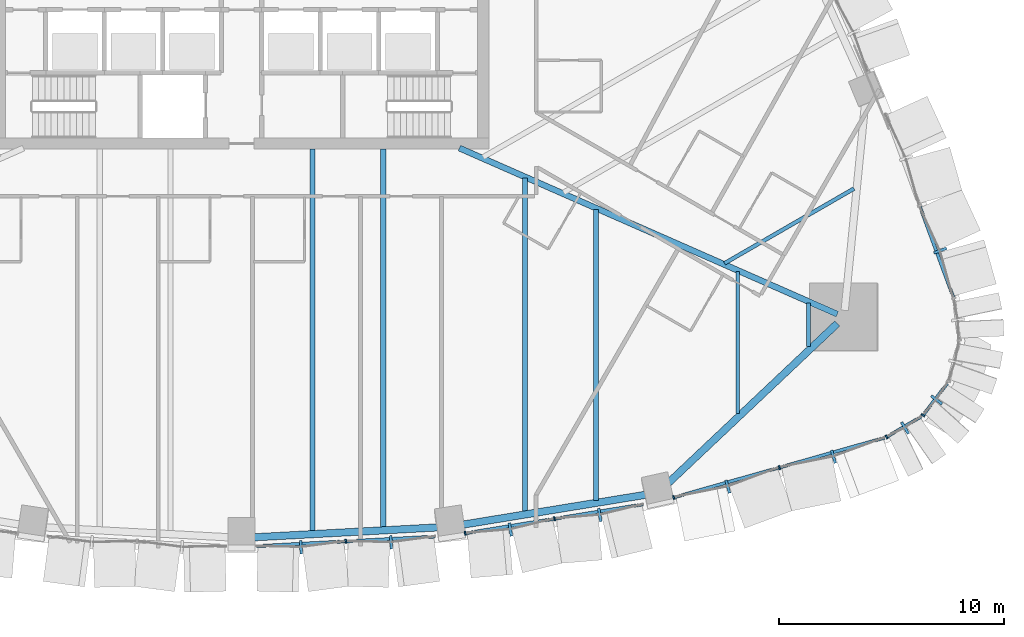
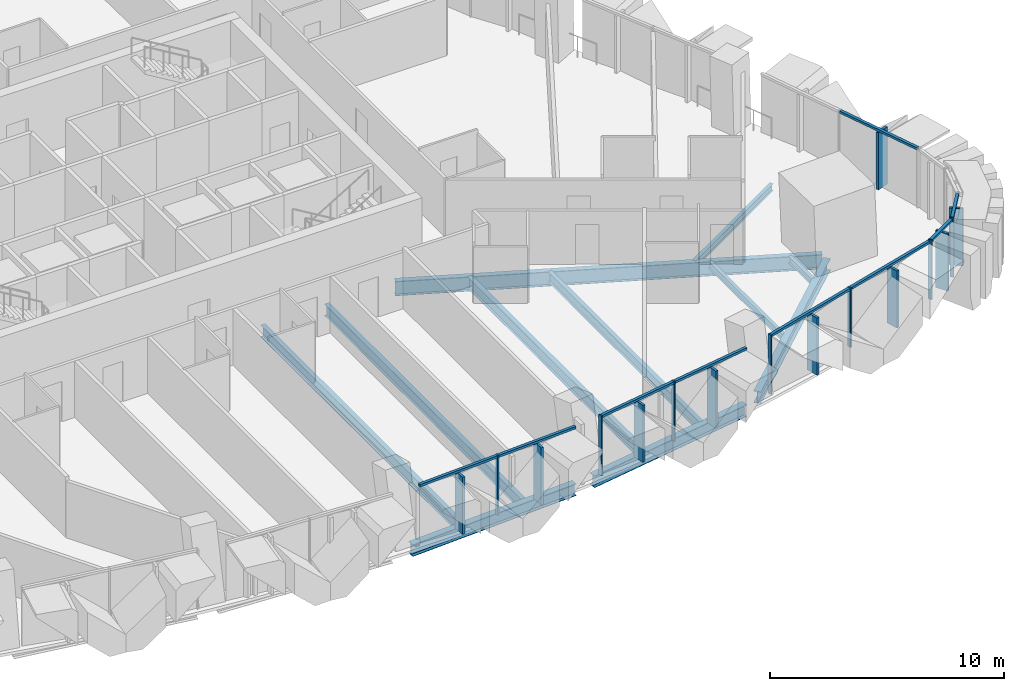
# One storey, part 4 of 22: 25 members, 11 beams, 6 elements without a shape of their own.
"""IFC4 building model written with IfcOpenShell, lengths in metres."""

import ifcopenshell
import ifcopenshell.guid

model = None  # the IFC model being written
_history = None  # IfcOwnerHistory: only IFC2X3 demands one
_inside = {}  # id of a spatial element -> (the spatial element, [elements in it])
_under = {}  # id of a project, library or spatial element -> (it, [spatial elements below it])
_declared = {}  # id of a project -> (the project, [libraries it declares])
_typed = {}  # id of a type object -> (the type object, [elements of that type])
_made_of = {}  # id of a material, layer set ... -> (it, [elements and type objects made of it])


def new_model(schema):
    """Start an empty IFC model of exactly this schema.

    Asked for "IFC4X3", IfcOpenShell would pick the latest addendum, in which some entities
    have other attributes; the version numbers below select the first issue.
    IFC2X3 requires an IfcOwnerHistory on every rooted entity: one is made here for all.
    """
    global model, _history
    if schema == "IFC4X3":
        model = ifcopenshell.file(schema_version=(4, 3, 0, 0))
    else:
        model = ifcopenshell.file(schema=schema)
    _inside.clear()
    _under.clear()
    _declared.clear()
    _typed.clear()
    _made_of.clear()
    _history = None
    if model.schema == "IFC2X3":
        org = make("IfcOrganization", Name="unknown")
        user = make(
            "IfcPersonAndOrganization",
            ThePerson=make("IfcPerson", FamilyName="unknown"),
            TheOrganization=org,
        )
        app = make(
            "IfcApplication",
            ApplicationDeveloper=org,
            Version="unknown",
            ApplicationFullName="unknown",
            ApplicationIdentifier="unknown",
        )
        _history = make(
            "IfcOwnerHistory",
            OwningUser=user,
            OwningApplication=app,
            ChangeAction="ADDED",
            CreationDate=0,
        )
    return model


def make(cls, **values):
    """One entity of the class cls with the attributes given. An attribute that is None is left unset."""
    return model.create_entity(
        cls, **{name: value for name, value in values.items() if value is not None}
    )


def rooted(cls, **values):
    """An entity with a GlobalId (a new one), such as an element, a storey or a relation."""
    return make(cls, GlobalId=ifcopenshell.guid.new(), OwnerHistory=_history, **values)


def si_unit(unit_type, name, prefix=None):
    """IfcSIUnit, for example si_unit("LENGTHUNIT", "METRE", prefix="MILLI")."""
    return make("IfcSIUnit", UnitType=unit_type, Prefix=prefix, Name=name)


def assignment(units):
    """IfcUnitAssignment: the units of a project."""
    return None if units is None else make("IfcUnitAssignment", Units=units)


def point(xyz):
    """IfcCartesianPoint."""
    return None if xyz is None else make("IfcCartesianPoint", Coordinates=xyz)


def direction(xyz):
    """IfcDirection."""
    return None if xyz is None else make("IfcDirection", DirectionRatios=xyz)


def frame(location, z_axis=None, x_axis=None):
    """IfcAxis2Placement3D, a coordinate frame: its origin and axes. An axis left out is left unset."""
    return make(
        "IfcAxis2Placement3D",
        Location=point(location),
        Axis=direction(z_axis),
        RefDirection=direction(x_axis),
    )


def frame_2d(location, x_axis=None):
    """IfcAxis2Placement2D, a coordinate frame in the plane: its origin and x axis."""
    return make(
        "IfcAxis2Placement2D", Location=point(location), RefDirection=direction(x_axis)
    )


def origin():
    """The frame at (0, 0, 0) with its axes left unset."""
    return frame((0.0, 0.0, 0.0))


def origin_2d():
    """The frame at (0, 0) in the plane with its x axis left unset."""
    return frame_2d((0.0, 0.0))


def place(relative_to, where):
    """IfcLocalPlacement: puts the frame where relative to a parent placement (None: the world)."""
    return make(
        "IfcLocalPlacement", PlacementRelTo=relative_to, RelativePlacement=where
    )


def context(
    kind, dimensions, precision=None, world=None, true_north=None, identifier=None
):
    """IfcGeometricRepresentationContext, for example the 3D "Model" context."""
    return make(
        "IfcGeometricRepresentationContext",
        ContextIdentifier=identifier,
        ContextType=kind,
        CoordinateSpaceDimension=dimensions,
        Precision=precision,
        WorldCoordinateSystem=world,
        TrueNorth=true_north,
    )


def subcontext(parent, identifier, kind, view, scale=None):
    """IfcGeometricRepresentationSubContext, for example "Body" below "Model"."""
    return make(
        "IfcGeometricRepresentationSubContext",
        ContextIdentifier=identifier,
        ContextType=kind,
        ParentContext=parent,
        TargetScale=scale,
        TargetView=view,
    )


def project(units=None, contexts=None):
    """IfcProject with its units and contexts."""
    return rooted(
        "IfcProject",
        Name="project",
        RepresentationContexts=contexts,
        UnitsInContext=assignment(units),
    )


def spatial(cls, under=None, at=None, **own):
    """A site, building, storey or space (cls), placed at a placement, below another one or the project."""
    s = rooted(cls, ObjectPlacement=at, **own)
    if under is not None:
        _under.setdefault(under.id(), (under, []))[1].append(s)
    return s


def profile(cls, at=None, kind="AREA", **sizes):
    """A parametric profile (cls). Its sizes go by their IFC names, for example OverallWidth=200.0."""
    return make(cls, ProfileType=kind, Position=at, **sizes)


def rectangle(**sizes):
    """IfcRectangleProfileDef."""
    return profile("IfcRectangleProfileDef", **sizes)


def i_section(**sizes):
    """IfcIShapeProfileDef."""
    return profile("IfcIShapeProfileDef", **sizes)


def extrude(swept, where, along, depth):
    """IfcExtrudedAreaSolid: the profile swept, set in the frame where, extruded along a direction by depth."""
    return make(
        "IfcExtrudedAreaSolid",
        SweptArea=swept,
        Position=where,
        ExtrudedDirection=direction(along),
        Depth=depth,
    )


def shape(context_of_items, identifier, shape_type, items):
    """IfcShapeRepresentation: the items that make up one representation, for example the "Body"."""
    return make(
        "IfcShapeRepresentation",
        ContextOfItems=context_of_items,
        RepresentationIdentifier=identifier,
        RepresentationType=shape_type,
        Items=items,
    )


def material(Name=None, Category=None):
    """IfcMaterial."""
    return make("IfcMaterial", Name=Name, Category=Category)


def layer(
    of_material, thickness, ventilated=None, Name=None, Category=None, Priority=None
):
    """IfcMaterialLayer: one layer of a wall or slab, of a material (None: an air gap)."""
    return make(
        "IfcMaterialLayer",
        Material=of_material,
        LayerThickness=thickness,
        IsVentilated=ventilated,
        Name=Name,
        Category=Category,
        Priority=Priority,
    )


def layer_set(layers, Name=None):
    """IfcMaterialLayerSet."""
    return make("IfcMaterialLayerSet", MaterialLayers=layers, LayerSetName=Name)


def material_profile(
    of_material, cross_section, Name=None, Category=None, Priority=None
):
    """IfcMaterialProfile: a cross section and its material."""
    return make(
        "IfcMaterialProfile",
        Name=Name,
        Material=of_material,
        Profile=cross_section,
        Priority=Priority,
        Category=Category,
    )


def profile_set(profiles, Name=None, composite=None):
    """IfcMaterialProfileSet."""
    return make(
        "IfcMaterialProfileSet",
        Name=Name,
        MaterialProfiles=profiles,
        CompositeProfile=composite,
    )


def made_of(thing, what):
    """Note that an element or type object is made of a material, layer set ...; save() writes the relation."""
    if what is not None:
        _made_of.setdefault(what.id(), (what, []))[1].append(thing)
    return thing


def type_object(cls, material=None, **own):
    """A type object (cls), such as IfcWallType, which elements share."""
    return made_of(rooted(cls, **own), material)


def element(
    cls,
    number,
    at=None,
    inside=None,
    cuts=None,
    type_object=None,
    material=None,
    context=None,
    identifier="Body",
    shape_type=None,
    held_by="IfcProductDefinitionShape",
    body=None,
    shapes=None,
    **own,
):
    """One element of the class cls, such as IfcWall. Its Tag is "e" and its number.

    at: its placement. inside: the storey or other place that contains it. cuts: it is an
    opening in that element (IfcRelVoidsElement). A single representation is given by context,
    identifier, shape_type and body (its items); several are given by shapes. held_by: the class
    of the entity that holds the representations. save() writes the other relations.
    """
    e = rooted(cls, Tag="e%d" % number, ObjectPlacement=at, **own)
    if body is not None:
        shapes = [shape(context, identifier, shape_type, body)]
    if shapes is not None:
        e.Representation = make(held_by, Representations=shapes)
    if inside is not None:
        _inside.setdefault(inside.id(), (inside, []))[1].append(e)
    if cuts is not None:
        rooted(
            "IfcRelVoidsElement", RelatingBuildingElement=cuts, RelatedOpeningElement=e
        )
    if type_object is not None:
        _typed.setdefault(type_object.id(), (type_object, []))[1].append(e)
    return made_of(e, material)


def aggregate(whole, parts):
    """IfcRelAggregates: a whole, such as a stair, and the parts it consists of."""
    return rooted("IfcRelAggregates", RelatingObject=whole, RelatedObjects=parts)


def save(model, path):
    """Write the relations noted so far, then the file.

    IfcRelAggregates (storeys below a building ...), IfcRelContainedInSpatialStructure (elements
    in a storey), IfcRelDefinesByType, IfcRelAssociatesMaterial and IfcRelDeclares: one each for
    every whole, place, type object, material and project.
    """
    for whole, parts in _under.values():
        aggregate(whole, parts)
    for where, things in _inside.values():
        rooted(
            "IfcRelContainedInSpatialStructure",
            RelatedElements=things,
            RelatingStructure=where,
        )
    for kind, things in _typed.values():
        rooted("IfcRelDefinesByType", RelatedObjects=things, RelatingType=kind)
    for what, things in _made_of.values():
        rooted("IfcRelAssociatesMaterial", RelatedObjects=things, RelatingMaterial=what)
    for by, libraries in _declared.values():
        rooted("IfcRelDeclares", RelatingContext=by, RelatedDefinitions=libraries)
    model.write(path)


model = new_model("IFC4")

# Units and contexts
model_context = context("Model", 3, precision=1e-05, world=origin(), true_north=direction((0.0, 1.0)))
body_context = subcontext(model_context, "Body", "Model", "MODEL_VIEW")
ifc_project = project(units=[si_unit("LENGTHUNIT", "METRE"), si_unit("AREAUNIT", "SQUARE_METRE"), si_unit("VOLUMEUNIT", "CUBIC_METRE"), si_unit("PLANEANGLEUNIT", "RADIAN"), si_unit("MASSUNIT", "GRAM", prefix="KILO")], contexts=[model_context])

# Site, building, storey
site_placement = place(None, origin())
site = spatial("IfcSite", under=ifc_project, at=site_placement, CompositionType="ELEMENT")
building_placement = place(site_placement, origin())
building = spatial("IfcBuilding", under=site, at=building_placement, Name="Sierra Prisma Convention Tower", CompositionType="ELEMENT")
storey_placement = place(building_placement, frame((0.0, 0.0, 62.800048828125)))
storey = spatial("IfcBuildingStorey", under=building, at=storey_placement, Name="L11", CompositionType="ELEMENT", Elevation=62.800048828125)

# Curtain wall, members
ifc_material_1 = material(Name="Aluminium and glass curtain wall", Category="aluminium")
ifc_layer = layer(ifc_material_1, 0.179931640625)
ifc_layer_set = layer_set([ifc_layer], Name="CW-2 Faceted crystal curtain wall")
curtain_wall_type = type_object("IfcCurtainWallType", Name="CW-2 Faceted crystal curtain wall", PredefinedType="NOTDEFINED", material=ifc_layer_set)
curtain_wall_1_placement = place(storey_placement, origin())
curtain_wall_1 = element("IfcCurtainWall", 1, at=curtain_wall_1_placement, inside=storey, type_object=curtain_wall_type, Name="CW-2 S4 L11", PredefinedType="NOTDEFINED")
ifc_material_2 = material(Name="Aluminium 6063-T6 bronze anodised", Category="aluminium")
ifc_material_profile_1 = material_profile(ifc_material_2, rectangle(XDim=0.1201171875, YDim=0.60009765625, at=origin_2d()), Name="ALU RIDGE BLADE 120x600")
ifc_profile_set_1 = profile_set([ifc_material_profile_1], Name="Aluminium 6063-T6 bronze anodised")
member_type_1 = type_object("IfcMemberType", Name="CW hip bronze", PredefinedType="MULLION", material=ifc_profile_set_1)
member_1_placement = place(storey_placement, frame((2.64501953125, -25.698974609375, 0.0), z_axis=(0.0, 0.0, 1.0), x_axis=(0.998562499444, 0.053599764027, 0.0)))
member_1 = element("IfcMember", 2, at=member_1_placement, type_object=member_type_1, Name="CW-2 ridge S4.1", PredefinedType="MULLION", context=body_context, shape_type="SweptSolid", body=[
    extrude(rectangle(XDim=0.1201171875, YDim=0.60009765625, at=origin_2d()), origin(), (0.0, 0.0, 1.0), 2.97998046875),
])
member_2_placement = place(storey_placement, frame((6.64990234375, -25.48388671875, 0.0), z_axis=(0.0, 0.0, 1.0), x_axis=(0.998562499444, 0.053599764027, 0.0)))
member_2 = element("IfcMember", 3, at=member_2_placement, type_object=member_type_1, Name="CW-2 ridge S4.2", PredefinedType="MULLION", context=body_context, shape_type="SweptSolid", body=[
    extrude(rectangle(XDim=0.1201171875, YDim=0.60009765625, at=origin_2d()), origin(), (0.0, 0.0, 1.0), 2.97998046875),
])

curtain_wall_2_placement = place(storey_placement, origin())
curtain_wall_2 = element("IfcCurtainWall", 4, at=curtain_wall_2_placement, inside=storey, type_object=curtain_wall_type, Name="CW-2 S5 L11", PredefinedType="NOTDEFINED")
member_3_placement = place(storey_placement, frame((11.955322265625, -24.90966796875, 0.0), z_axis=(0.0, 0.0, 1.0), x_axis=(0.987024571432, 0.160569285323, 0.0)))
member_3 = element("IfcMember", 5, at=member_3_placement, type_object=member_type_1, Name="CW-2 ridge S5.1", PredefinedType="MULLION", context=body_context, shape_type="SweptSolid", body=[
    extrude(rectangle(XDim=0.1201171875, YDim=0.60009765625, at=origin_2d()), origin(), (0.0, 0.0, 1.0), 2.97998046875),
])
member_4_placement = place(storey_placement, frame((15.927978515625, -24.263427734375, 0.0), z_axis=(0.0, 0.0, 1.0), x_axis=(0.987024571432, 0.160569285323, 0.0)))
member_4 = element("IfcMember", 6, at=member_4_placement, type_object=member_type_1, Name="CW-2 ridge S5.2", PredefinedType="MULLION", context=body_context, shape_type="SweptSolid", body=[
    extrude(rectangle(XDim=0.1201171875, YDim=0.60009765625, at=origin_2d()), origin(), (0.0, 0.0, 1.0), 2.97998046875),
])

curtain_wall_3_placement = place(storey_placement, origin())
curtain_wall_3 = element("IfcCurtainWall", 7, at=curtain_wall_3_placement, inside=storey, type_object=curtain_wall_type, Name="CW-2 S6 L11", PredefinedType="NOTDEFINED")
member_5_placement = place(storey_placement, frame((21.61962890625, -23.00244140625, 0.0), z_axis=(0.0, 0.0, 1.0), x_axis=(0.962130741074, 0.27258840232, 0.0)))
member_5 = element("IfcMember", 8, at=member_5_placement, type_object=member_type_1, Name="CW-2 ridge S6.1", PredefinedType="MULLION", context=body_context, shape_type="SweptSolid", body=[
    extrude(rectangle(XDim=0.1201171875, YDim=0.60009765625, at=origin_2d()), origin(), (0.0, 0.0, 1.0), 2.97998046875),
])
member_6_placement = place(storey_placement, frame((26.318603515625, -21.671142578125, 0.0), z_axis=(0.0, 0.0, 1.0), x_axis=(0.962130741074, 0.27258840232, 0.0)))
member_6 = element("IfcMember", 9, at=member_6_placement, type_object=member_type_1, Name="CW-2 ridge S6.2", PredefinedType="MULLION", context=body_context, shape_type="SweptSolid", body=[
    extrude(rectangle(XDim=0.1201171875, YDim=0.60009765625, at=origin_2d()), origin(), (0.0, 0.0, 1.0), 2.97998046875),
])

# Curtain wall, member
curtain_wall_4_placement = place(storey_placement, origin())
curtain_wall_4 = element("IfcCurtainWall", 10, at=curtain_wall_4_placement, inside=storey, type_object=curtain_wall_type, Name="CW-2 SE1 L11", PredefinedType="NOTDEFINED")
member_7_placement = place(storey_placement, frame((29.499267578125, -20.394775390625, 0.0), z_axis=(0.0, 0.0, 1.0), x_axis=(0.862248807702, 0.50648493918, 0.0)))
member_7 = element("IfcMember", 11, at=member_7_placement, type_object=member_type_1, Name="CW-2 ridge SE1.1", PredefinedType="MULLION", context=body_context, shape_type="SweptSolid", body=[
    extrude(rectangle(XDim=0.1201171875, YDim=0.60009765625, at=origin_2d()), origin(), (0.0, 0.0, 1.0), 2.97998046875),
])

curtain_wall_5_placement = place(storey_placement, origin())
curtain_wall_5 = element("IfcCurtainWall", 12, at=curtain_wall_5_placement, inside=storey, type_object=curtain_wall_type, Name="CW-2 SE2 L11", PredefinedType="NOTDEFINED")
member_8_placement = place(storey_placement, frame((30.90576171875, -19.147705078125, 0.0), z_axis=(0.0, 0.0, 1.0), x_axis=(0.606179416614, 0.795327929142, 0.0)))
member_8 = element("IfcMember", 13, at=member_8_placement, type_object=member_type_1, Name="CW-2 ridge SE2.1", PredefinedType="MULLION", context=body_context, shape_type="SweptSolid", body=[
    extrude(rectangle(XDim=0.1201171875, YDim=0.60009765625, at=origin_2d()), origin(), (0.0, 0.0, 1.0), 2.97998046875),
])

curtain_wall_6_placement = place(storey_placement, origin())
curtain_wall_6 = element("IfcCurtainWall", 14, at=curtain_wall_6_placement, inside=storey, type_object=curtain_wall_type, Name="CW-2 NE1 L11", PredefinedType="NOTDEFINED")
member_9_placement = place(storey_placement, frame((31.065673828125, -12.508056640625, 0.0), z_axis=(0.0, 0.0, 1.0), x_axis=(-0.346042554423, 0.938218818042, 0.0)))
member_9 = element("IfcMember", 15, at=member_9_placement, type_object=member_type_1, Name="CW-2 ridge NE1.1", PredefinedType="MULLION", context=body_context, shape_type="SweptSolid", body=[
    extrude(rectangle(XDim=0.1201171875, YDim=0.60009765625, at=origin_2d()), origin(), (0.0, 0.0, 1.0), 2.97998046875),
])

# Member
ifc_material_3 = material(Name="Aluminium 6063-T6 bronze anodised", Category="aluminium")
ifc_material_profile_2 = material_profile(ifc_material_3, rectangle(XDim=0.179931640625, YDim=0.070068359375, at=origin_2d()), Name="ALU MULLION 70x180")
ifc_profile_set_2 = profile_set([ifc_material_profile_2], Name="Aluminium 6063-T6 bronze anodised")
member_type_2 = type_object("IfcMemberType", Name="CW mullion bronze", PredefinedType="MULLION", material=ifc_profile_set_2)
member_10_placement = place(storey_placement, frame((4.63916015625, -25.4365234375, 0.0), z_axis=(0.0, 0.0, 1.0), x_axis=(-0.053599764027, 0.998562499444, 0.0)))
member_10 = element("IfcMember", 16, at=member_10_placement, type_object=member_type_2, Name="CW-1 mullion S4.2", PredefinedType="MULLION", context=body_context, shape_type="SweptSolid", body=[
    extrude(rectangle(XDim=0.179931640625, YDim=0.070068359375, at=origin_2d()), origin(), (0.0, 0.0, 1.0), 3.099853515625),
])

member_11_placement = place(storey_placement, frame((9.944091796875, -25.079345703125, 0.0), z_axis=(0.0, 0.0, 1.0), x_axis=(-0.160569285323, 0.987024571432, 0.0)))
member_11 = element("IfcMember", 17, at=member_11_placement, type_object=member_type_2, Name="CW-1 mullion S5.1", PredefinedType="MULLION", context=body_context, shape_type="SweptSolid", body=[
    extrude(rectangle(XDim=0.179931640625, YDim=0.070068359375, at=origin_2d()), origin(), (0.0, 0.0, 1.0), 3.099853515625),
])

member_12_placement = place(storey_placement, frame((13.91650390625, -24.43310546875, 0.0), z_axis=(0.0, 0.0, 1.0), x_axis=(-0.160569285323, 0.987024571432, 0.0)))
member_12 = element("IfcMember", 18, at=member_12_placement, type_object=member_type_2, Name="CW-1 mullion S5.2", PredefinedType="MULLION", context=body_context, shape_type="SweptSolid", body=[
    extrude(rectangle(XDim=0.179931640625, YDim=0.070068359375, at=origin_2d()), origin(), (0.0, 0.0, 1.0), 3.099853515625),
])

member_13_placement = place(storey_placement, frame((19.218505859375, -23.48583984375, 0.0), z_axis=(0.0, 0.0, 1.0), x_axis=(-0.27258840232, 0.962130741074, 0.0)))
member_13 = element("IfcMember", 19, at=member_13_placement, type_object=member_type_2, Name="CW-1 mullion S6.1", PredefinedType="MULLION", context=body_context, shape_type="SweptSolid", body=[
    extrude(rectangle(XDim=0.179931640625, YDim=0.070068359375, at=origin_2d()), origin(), (0.0, 0.0, 1.0), 3.099853515625),
])

member_14_placement = place(storey_placement, frame((23.91748046875, -22.154541015625, 0.0), z_axis=(0.0, 0.0, 1.0), x_axis=(-0.27258840232, 0.962130741074, 0.0)))
member_14 = element("IfcMember", 20, at=member_14_placement, type_object=member_type_2, Name="CW-1 mullion S6.2", PredefinedType="MULLION", context=body_context, shape_type="SweptSolid", body=[
    extrude(rectangle(XDim=0.179931640625, YDim=0.070068359375, at=origin_2d()), origin(), (0.0, 0.0, 1.0), 3.099853515625),
])

member_15_placement = place(storey_placement, frame((28.68017578125, -20.7958984375, 0.0), z_axis=(0.0, 0.0, 1.0), x_axis=(-0.50648493918, 0.862248807702, 0.0)))
member_15 = element("IfcMember", 21, at=member_15_placement, type_object=member_type_2, Name="CW-1 mullion SE1.1", PredefinedType="MULLION", context=body_context, shape_type="SweptSolid", body=[
    extrude(rectangle(XDim=0.179931640625, YDim=0.070068359375, at=origin_2d()), origin(), (0.0, 0.0, 1.0), 3.099853515625),
])

member_16_placement = place(storey_placement, frame((30.2998046875, -19.8291015625, 0.0), z_axis=(0.0, 0.0, 1.0), x_axis=(-0.795327929142, 0.606179416614, 0.0)))
member_16 = element("IfcMember", 22, at=member_16_placement, type_object=member_type_2, Name="CW-1 mullion SE2.1", PredefinedType="MULLION", context=body_context, shape_type="SweptSolid", body=[
    extrude(rectangle(XDim=0.179931640625, YDim=0.070068359375, at=origin_2d()), origin(), (0.0, 0.0, 1.0), 3.099853515625),
])

ifc_material_4 = material(Name="Aluminium 6063-T6 bronze anodised", Category="aluminium")
ifc_material_profile_3 = material_profile(ifc_material_4, rectangle(XDim=0.139892578125, YDim=0.1201171875, at=origin_2d()), Name="ALU TRANSOM 120x140")
ifc_profile_set_3 = profile_set([ifc_material_profile_3], Name="Aluminium 6063-T6 bronze anodised")
member_type_3 = type_object("IfcMemberType", Name="CW transom bronze", PredefinedType="USERDEFINED", material=ifc_profile_set_3)
member_17_placement = place(storey_placement, frame((0.6689453125, -25.649658203125, 3.0400390625), z_axis=(0.998563223331, 0.053586276331, 0.0), x_axis=(-0.053586276331, 0.998563223331, 0.0)))
member_17 = element("IfcMember", 23, at=member_17_placement, type_object=member_type_3, Name="CW-1 transom S4.1", ObjectType="TRANSOM", PredefinedType="USERDEFINED", context=body_context, shape_type="SweptSolid", body=[
    extrude(rectangle(XDim=0.139892578125, YDim=0.1201171875, at=origin_2d()), origin(), (0.0, 0.0, 1.0), 3.94091796875),
])

member_18_placement = place(storey_placement, frame((4.674072265625, -25.434814453125, 3.0400390625), z_axis=(0.998563045427, 0.053589591407, 0.0), x_axis=(-0.053589591407, 0.998563045427, 0.0)))
member_18 = element("IfcMember", 24, at=member_18_placement, type_object=member_type_3, Name="CW-1 transom S4.2", ObjectType="TRANSOM", PredefinedType="USERDEFINED", context=body_context, shape_type="SweptSolid", body=[
    extrude(rectangle(XDim=0.139892578125, YDim=0.1201171875, at=origin_2d()), origin(), (0.0, 0.0, 1.0), 3.940673828125),
])

aggregate(curtain_wall_1, [member_10, member_17, member_1, member_18, member_2])

member_19_placement = place(storey_placement, frame((9.978515625, -25.07373046875, 3.0400390625), z_axis=(0.987025477318, 0.160563716712, 0.0), x_axis=(-0.160563716712, 0.987025477318, 0.0)))
member_19 = element("IfcMember", 25, at=member_19_placement, type_object=member_type_3, Name="CW-1 transom S5.1", ObjectType="TRANSOM", PredefinedType="USERDEFINED", context=body_context, shape_type="SweptSolid", body=[
    extrude(rectangle(XDim=0.139892578125, YDim=0.1201171875, at=origin_2d()), origin(), (0.0, 0.0, 1.0), 3.954833984375),
])

member_20_placement = place(storey_placement, frame((13.951171875, -24.427490234375, 3.0400390625), z_axis=(0.987025477318, 0.160563716712, 0.0), x_axis=(-0.160563716712, 0.987025477318, 0.0)))
member_20 = element("IfcMember", 26, at=member_20_placement, type_object=member_type_3, Name="CW-1 transom S5.2", ObjectType="TRANSOM", PredefinedType="USERDEFINED", context=body_context, shape_type="SweptSolid", body=[
    extrude(rectangle(XDim=0.139892578125, YDim=0.1201171875, at=origin_2d()), origin(), (0.0, 0.0, 1.0), 3.954833984375),
])

aggregate(curtain_wall_2, [member_11, member_12, member_19, member_3, member_20, member_4])

member_21_placement = place(storey_placement, frame((19.252197265625, -23.476318359375, 3.0400390625), z_axis=(0.962128278157, 0.272597095308, 0.0), x_axis=(-0.272597095308, 0.962128278157, 0.0)))
member_21 = element("IfcMember", 27, at=member_21_placement, type_object=member_type_3, Name="CW-1 transom S6.1", ObjectType="TRANSOM", PredefinedType="USERDEFINED", context=body_context, shape_type="SweptSolid", body=[
    extrude(rectangle(XDim=0.139892578125, YDim=0.1201171875, at=origin_2d()), origin(), (0.0, 0.0, 1.0), 4.81396484375),
])

member_22_placement = place(storey_placement, frame((23.951171875, -22.14501953125, 3.0400390625), z_axis=(0.962128278157, 0.272597095308, 0.0), x_axis=(-0.272597095308, 0.962128278157, 0.0)))
member_22 = element("IfcMember", 28, at=member_22_placement, type_object=member_type_3, Name="CW-1 transom S6.2", ObjectType="TRANSOM", PredefinedType="USERDEFINED", context=body_context, shape_type="SweptSolid", body=[
    extrude(rectangle(XDim=0.139892578125, YDim=0.1201171875, at=origin_2d()), origin(), (0.0, 0.0, 1.0), 4.81396484375),
])

aggregate(curtain_wall_3, [member_13, member_14, member_21, member_5, member_22, member_6])

member_23_placement = place(storey_placement, frame((28.71044921875, -20.778076171875, 3.0400390625), z_axis=(0.862296505782, 0.506403728379, 0.0), x_axis=(-0.506403728379, 0.862296505782, 0.0)))
member_23 = element("IfcMember", 29, at=member_23_placement, type_object=member_type_3, Name="CW-1 transom SE1.1", ObjectType="TRANSOM", PredefinedType="USERDEFINED", context=body_context, shape_type="SweptSolid", body=[
    extrude(rectangle(XDim=0.139892578125, YDim=0.1201171875, at=origin_2d()), origin(), (0.0, 0.0, 1.0), 1.74853515625),
])

aggregate(curtain_wall_4, [member_15, member_23, member_7])

member_24_placement = place(storey_placement, frame((30.321044921875, -19.80126953125, 3.0400390625), z_axis=(0.606236704363, 0.795284262564, 0.0), x_axis=(-0.795284262564, 0.606236704363, 0.0)))
member_24 = element("IfcMember", 30, at=member_24_placement, type_object=member_type_3, Name="CW-1 transom SE2.1", ObjectType="TRANSOM", PredefinedType="USERDEFINED", context=body_context, shape_type="SweptSolid", body=[
    extrude(rectangle(XDim=0.139892578125, YDim=0.1201171875, at=origin_2d()), origin(), (0.0, 0.0, 1.0), 1.74853515625),
])

aggregate(curtain_wall_5, [member_16, member_24, member_8])

member_25_placement = place(storey_placement, frame((31.6533203125, -14.591552734375, 3.0400390625), z_axis=(-0.346053957725, 0.938214612092, 0.0), x_axis=(-0.938214612092, -0.346053957725, 0.0)))
member_25 = element("IfcMember", 31, at=member_25_placement, type_object=member_type_3, Name="CW-1 transom NE1.1", ObjectType="TRANSOM", PredefinedType="USERDEFINED", context=body_context, shape_type="SweptSolid", body=[
    extrude(rectangle(XDim=0.139892578125, YDim=0.1201171875, at=origin_2d()), origin(), (0.0, 0.0, 1.0), 4.316162109375),
])

aggregate(curtain_wall_6, [member_25, member_9])

# Beams
ifc_material_5 = material(Name="Steel ASTM A992 Gr 50", Category="steel")
ifc_material_profile_4 = material_profile(ifc_material_5, i_section(OverallWidth=0.172119140625, OverallDepth=0.35791015625, WebThickness=0.0078125, FlangeThickness=0.01318359375, at=origin_2d()), Name="W360x57")
ifc_profile_set_4 = profile_set([ifc_material_profile_4], Name="Steel ASTM A992 Gr 50")
beam_type_1 = type_object("IfcBeamType", Name="Floor joist W360x57", PredefinedType="JOIST", material=ifc_profile_set_4)
beam_1_placement = place(storey_placement, frame((22.0615234375, -19.75537109375, -0.3291015625), z_axis=(0.0, 1.0, 0.0), x_axis=(-1.0, 0.0, 0.0)))
element("IfcBeam", 32, at=beam_1_placement, inside=storey, type_object=beam_type_1, Name="Floor joist L11 S16", PredefinedType="JOIST", context=body_context, shape_type="SweptSolid", body=[
    extrude(i_section(OverallWidth=0.172119140625, OverallDepth=0.35791015625, WebThickness=0.0078125, FlangeThickness=0.01318359375, at=origin_2d()), origin(), (0.0, 0.0, 1.0), 6.30859375),
])
beam_2_placement = place(storey_placement, frame((25.213134765625, -16.780517578125, -0.3291015625), z_axis=(0.0, 1.0, 0.0), x_axis=(-1.0, 0.0, 0.0)))
element("IfcBeam", 33, at=beam_2_placement, inside=storey, type_object=beam_type_1, Name="Floor joist L11 S17", PredefinedType="JOIST", context=body_context, shape_type="SweptSolid", body=[
    extrude(i_section(OverallWidth=0.172119140625, OverallDepth=0.35791015625, WebThickness=0.0078125, FlangeThickness=0.01318359375, at=origin_2d()), origin(), (0.0, 0.0, 1.0), 1.948486328125),
])
beam_3_placement = place(storey_placement, frame((27.230224609375, -9.7529296875, -0.3291015625), z_axis=(-0.866011150276, -0.500024686988, 0.0), x_axis=(0.500024686988, -0.866011150276, 0.0)))
element("IfcBeam", 34, at=beam_3_placement, inside=storey, type_object=beam_type_1, Name="Floor joist L11 NE02", PredefinedType="JOIST", context=body_context, shape_type="SweptSolid", body=[
    extrude(i_section(OverallWidth=0.172119140625, OverallDepth=0.35791015625, WebThickness=0.0078125, FlangeThickness=0.01318359375, at=origin_2d()), origin(), (0.0, 0.0, 1.0), 6.642822265625),
])
ifc_material_6 = material(Name="Steel ASTM A992 Gr 50", Category="steel")
ifc_material_profile_5 = material_profile(ifc_material_6, i_section(OverallWidth=0.208984375, OverallDepth=0.532958984375, WebThickness=0.01025390625, FlangeThickness=0.015625, at=origin_2d()), Name="W530x92")
ifc_profile_set_5 = profile_set([ifc_material_profile_5], Name="Steel ASTM A992 Gr 50")
beam_type_2 = type_object("IfcBeamType", Name="Floor joist W530x92", PredefinedType="JOIST", material=ifc_profile_set_5)
beam_4_placement = place(storey_placement, frame((15.75830078125, -23.611328125, -0.41650390625), z_axis=(0.0, 1.0, 0.0), x_axis=(-1.0, 0.0, 0.0)))
element("IfcBeam", 35, at=beam_4_placement, inside=storey, type_object=beam_type_2, Name="Floor joist L11 S14", PredefinedType="JOIST", context=body_context, shape_type="SweptSolid", body=[
    extrude(i_section(OverallWidth=0.208984375, OverallDepth=0.532958984375, WebThickness=0.01025390625, FlangeThickness=0.015625, at=origin_2d()), origin(), (0.0, 0.0, 1.0), 12.934814453125),
])
ifc_material_7 = material(Name="Steel ASTM A992 Gr 50", Category="steel")
ifc_material_profile_6 = material_profile(ifc_material_7, i_section(OverallWidth=0.22802734375, OverallDepth=0.60302734375, WebThickness=0.010498046875, FlangeThickness=0.014892578125, at=origin_2d()), Name="W610x101")
ifc_profile_set_6 = profile_set([ifc_material_profile_6], Name="Steel ASTM A992 Gr 50")
beam_type_3 = type_object("IfcBeamType", Name="Floor joist W610x101", PredefinedType="JOIST", material=ifc_profile_set_6)
beam_5_placement = place(storey_placement, frame((3.151611328125, -25.0029296875, -0.45166015625), z_axis=(0.0, 1.0, 0.0), x_axis=(-1.0, 0.0, 0.0)))
element("IfcBeam", 36, at=beam_5_placement, inside=storey, type_object=beam_type_3, Name="Floor joist L11 S10", PredefinedType="JOIST", context=body_context, shape_type="SweptSolid", body=[
    extrude(i_section(OverallWidth=0.22802734375, OverallDepth=0.60302734375, WebThickness=0.010498046875, FlangeThickness=0.014892578125, at=origin_2d()), origin(), (0.0, 0.0, 1.0), 17.0029296875),
])
beam_6_placement = place(storey_placement, frame((6.30322265625, -24.8330078125, -0.45166015625), z_axis=(0.0, 1.0, 0.0), x_axis=(-1.0, 0.0, 0.0)))
element("IfcBeam", 37, at=beam_6_placement, inside=storey, type_object=beam_type_3, Name="Floor joist L11 S11", PredefinedType="JOIST", context=body_context, shape_type="SweptSolid", body=[
    extrude(i_section(OverallWidth=0.22802734375, OverallDepth=0.60302734375, WebThickness=0.010498046875, FlangeThickness=0.014892578125, at=origin_2d()), origin(), (0.0, 0.0, 1.0), 16.8330078125),
])
beam_7_placement = place(storey_placement, frame((12.6064453125, -24.126708984375, -0.45166015625), z_axis=(0.0, 1.0, 0.0), x_axis=(-1.0, 0.0, 0.0)))
element("IfcBeam", 38, at=beam_7_placement, inside=storey, type_object=beam_type_3, Name="Floor joist L11 S13", PredefinedType="JOIST", context=body_context, shape_type="SweptSolid", body=[
    extrude(i_section(OverallWidth=0.22802734375, OverallDepth=0.60302734375, WebThickness=0.010498046875, FlangeThickness=0.014892578125, at=origin_2d()), origin(), (0.0, 0.0, 1.0), 14.83544921875),
])
ifc_material_8 = material(Name="Steel ASTM A992 Gr 50", Category="steel")
ifc_material_profile_7 = material_profile(ifc_material_8, i_section(OverallWidth=0.264892578125, OverallDepth=0.7529296875, WebThickness=0.01318359375, FlangeThickness=0.01708984375, at=origin_2d()), Name="W760x147")
ifc_profile_set_7 = profile_set([ifc_material_profile_7], Name="Steel ASTM A992 Gr 50")
beam_type_4 = type_object("IfcBeamType", Name="Radial girder W760x147", PredefinedType="BEAM", material=ifc_profile_set_7)
beam_8_placement = place(storey_placement, frame((26.489013671875, -15.334716796875, -0.526611328125), z_axis=(-0.915484259199, 0.402353788548, 0.0), x_axis=(-0.402353788548, -0.915484259199, 0.0)))
element("IfcBeam", 39, at=beam_8_placement, inside=storey, type_object=beam_type_4, Name="Radial girder L11 SE", PredefinedType="BEAM", context=body_context, shape_type="SweptSolid", body=[
    extrude(i_section(OverallWidth=0.264892578125, OverallDepth=0.7529296875, WebThickness=0.01318359375, FlangeThickness=0.01708984375, at=origin_2d()), origin(), (0.0, 0.0, 1.0), 18.349609375),
])
ifc_material_9 = material(Name="Steel ASTM A992 Gr 50", Category="steel")
ifc_material_profile_8 = material_profile(ifc_material_9, i_section(OverallWidth=0.324951171875, OverallDepth=0.615966796875, WebThickness=0.013916015625, FlangeThickness=0.021484375, at=origin_2d()), Name="W610x174")
ifc_profile_set_8 = profile_set([ifc_material_profile_8], Name="Steel ASTM A992 Gr 50")
beam_type_5 = type_object("IfcBeamType", Name="Spandrel beam W610x174", PredefinedType="BEAM", material=ifc_profile_set_8)
beam_9_placement = place(storey_placement, frame((0.480224609375, -25.259765625, -0.4580078125), z_axis=(0.998549564651, 0.053840198129, 0.0), x_axis=(-0.053840198129, 0.998549564651, 0.0)))
element("IfcBeam", 40, at=beam_9_placement, inside=storey, type_object=beam_type_5, Name="Spandrel L11-04", PredefinedType="BEAM", context=body_context, shape_type="SweptSolid", body=[
    extrude(i_section(OverallWidth=0.324951171875, OverallDepth=0.615966796875, WebThickness=0.013916015625, FlangeThickness=0.021484375, at=origin_2d()), origin(), (0.0, 0.0, 1.0), 8.329833984375),
])
beam_10_placement = place(storey_placement, frame((9.752685546875, -24.707763671875, -0.4580078125), z_axis=(0.986900596857, 0.161329513492, 0.0), x_axis=(-0.161329513492, 0.986900596857, 0.0)))
element("IfcBeam", 41, at=beam_10_placement, inside=storey, type_object=beam_type_5, Name="Spandrel L11-05", PredefinedType="BEAM", context=body_context, shape_type="SweptSolid", body=[
    extrude(i_section(OverallWidth=0.324951171875, OverallDepth=0.615966796875, WebThickness=0.013916015625, FlangeThickness=0.021484375, at=origin_2d()), origin(), (0.0, 0.0, 1.0), 8.39892578125),
])
beam_11_placement = place(storey_placement, frame((18.9375, -22.87744140625, -0.4580078125), z_axis=(0.727219809603, 0.686404653627, 0.0), x_axis=(-0.686404653627, 0.727219809603, 0.0)))
element("IfcBeam", 42, at=beam_11_placement, inside=storey, type_object=beam_type_5, Name="Spandrel L11-06", PredefinedType="BEAM", context=body_context, shape_type="SweptSolid", body=[
    extrude(i_section(OverallWidth=0.324951171875, OverallDepth=0.615966796875, WebThickness=0.013916015625, FlangeThickness=0.021484375, at=origin_2d()), origin(), (0.0, 0.0, 1.0), 10.384033203125),
])

save(model, "model.ifc")
